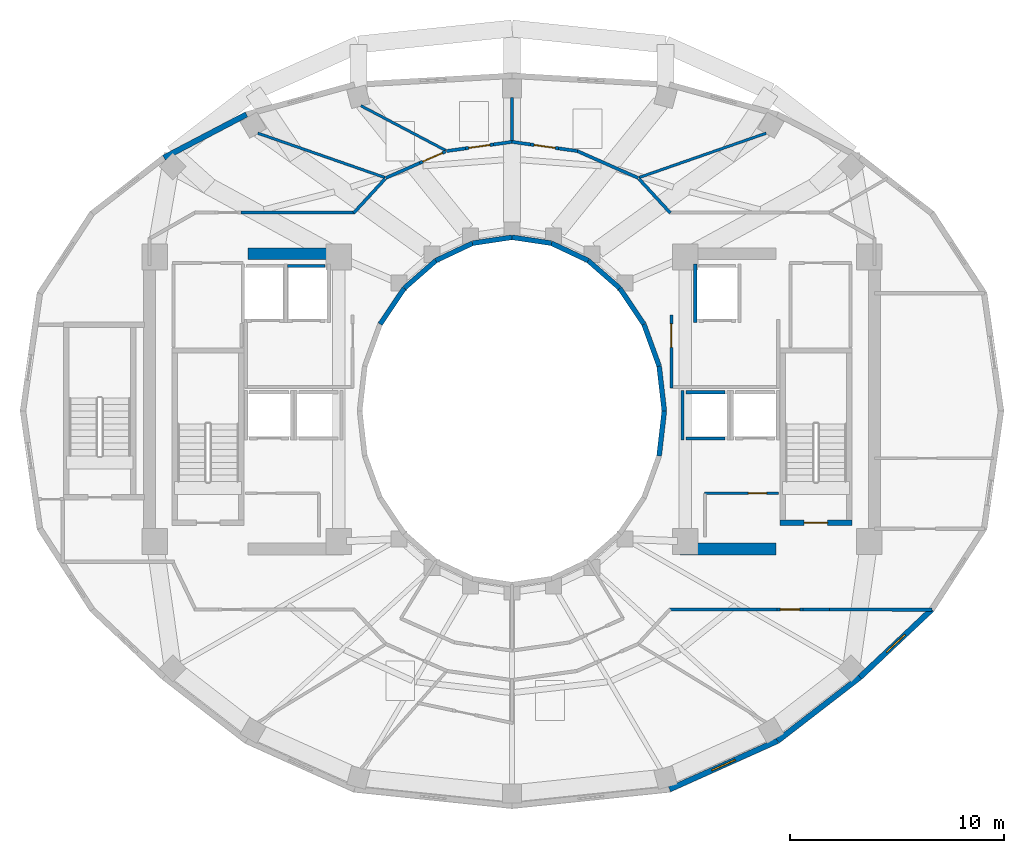
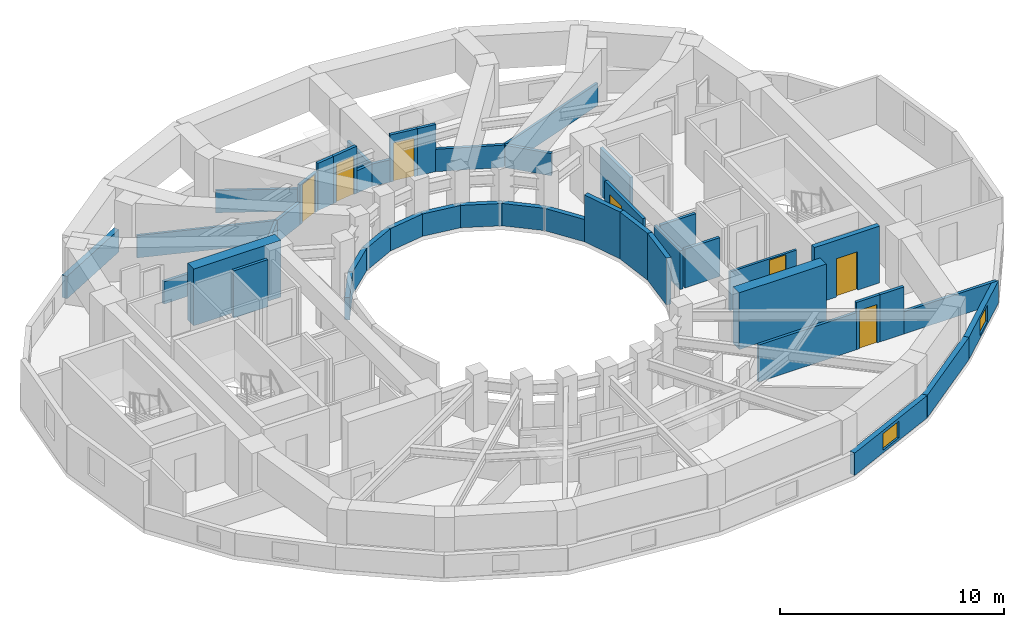
# One storey, part 5 of 9: 45 walls, 7 doors, 2 windows, 9 openings.
"""IFC4 building model written with IfcOpenShell, lengths in metres."""

from ifc_helpers import new_model, si_unit, direction, frame, frame_2d, origin, place, context, subcontext, project, spatial, rectangle, extrude, material, layer, layer_set, type_object, element, fill, save


model = new_model("IFC4")

# Units and contexts
model_context = context("Model", 3, precision=1e-05, world=origin(), true_north=direction((0.0, 1.0)))
body_context = subcontext(model_context, "Body", "Model", "MODEL_VIEW")
ifc_project = project(units=[si_unit("LENGTHUNIT", "METRE"), si_unit("AREAUNIT", "SQUARE_METRE"), si_unit("VOLUMEUNIT", "CUBIC_METRE"), si_unit("PLANEANGLEUNIT", "RADIAN"), si_unit("MASSUNIT", "GRAM", prefix="KILO")], contexts=[model_context])

# Site, building, storey
site_placement = place(None, origin())
site = spatial("IfcSite", under=ifc_project, at=site_placement, CompositionType="ELEMENT")
building_placement = place(site_placement, origin())
building = spatial("IfcBuilding", under=site, at=building_placement, Name="Solvane Sanctuary Tower", CompositionType="ELEMENT")
storey_placement = place(building_placement, frame((0.0, 0.0, 177.699951171875)))
storey = spatial("IfcBuildingStorey", under=building, at=storey_placement, Name="L54", CompositionType="ELEMENT", Elevation=177.699951171875)

# Walls
ifc_material_1 = material(Name="Concrete C50/60", Category="concrete")
ifc_layer_1 = layer(ifc_material_1, 0.550048828125, Name="Concrete C50/60")
ifc_layer_set_1 = layer_set([ifc_layer_1], Name="Concrete C50/60")
wall_type_1 = type_object("IfcWallType", Name="Wall W-CORE-550", PredefinedType="SHEAR", material=ifc_layer_set_1)
for number, where, z_axis, x_axis, name in (
    (1, (19.64990234375, 30.35009765625, 0.0), (0.0, 0.0, 1.0), (1.0, 0.0, 0.0), "L54 Core Shear Wall WC-N"),
    (2, (39.85009765625, 16.550048828125, 0.0), (0.0, 0.0, 1.0), (1.0, 0.0, 0.0), "L54 Core Shear Wall EC-S"),
):
    element("IfcWall", number, at=place(storey_placement, frame(where, z_axis=z_axis, x_axis=x_axis)), inside=storey, type_object=wall_type_1, Name=name, PredefinedType="SHEAR", context=body_context, shape_type="SweptSolid", body=[
        extrude(rectangle(XDim=4.5, YDim=0.550048828125, at=frame_2d((2.25, 0.0))), origin(), (0.0, 0.0, 1.0), 3.10009765625),
    ])

# Wall, opening, door
ifc_material_2 = material(Name="Acoustic Gypsum Partition Board")
ifc_layer_2 = layer(ifc_material_2, 0.14990234375, Name="Acoustic Gypsum Partition Board")
ifc_layer_set_2 = layer_set([ifc_layer_2], Name="Acoustic Gypsum Partition Board")
wall_type_2 = type_object("IfcWallType", Name="Wall W-CORR-150", PredefinedType="PARTITIONING", material=ifc_layer_set_2)
wall_1_placement = place(storey_placement, frame((39.449951171875, 24.080078125, 0.0), z_axis=(0.0, 0.0, 1.0), x_axis=(0.0, 1.0, 0.0)))
wall_1 = element("IfcWall", 3, at=wall_1_placement, inside=storey, type_object=wall_type_2, Name="L54 East Firefighting Lobby West Wall", PredefinedType="PARTITIONING", context=body_context, shape_type="SweptSolid", body=[
    extrude(rectangle(XDim=3.39990234375, YDim=0.14990234375, at=frame_2d((1.699951171875, 0.0))), origin(), (0.0, 0.0, 1.0), 2.574951171875),
])
opening_1_placement = place(wall_1_placement, frame((1.893798828125, 0.0, 0.0)))
opening_1 = element("IfcOpeningElement", 4, at=opening_1_placement, cuts=wall_1, Name="Opening D-L54-05", PredefinedType="OPENING", context=body_context, shape_type="SweptSolid", body=[
    extrude(rectangle(XDim=1.10009765625, YDim=2.10009765625, at=frame_2d((0.550048828125, 1.050048828125))), frame((0.0, 0.0849609375, 0.0), z_axis=(0.0, -1.0, 0.0), x_axis=(1.0, 0.0, 0.0)), (0.0, 0.0, 1.0), 0.169921875),
])
ifc_material_3 = material(Name="Architectural Stainless Steel 316", Category="steel")
door_type_1 = type_object("IfcDoorType", Name="Door D-FFL", OperationType="NOTDEFINED", PredefinedType="DOOR", material=ifc_material_3)
door_1_placement = place(opening_1_placement, origin())
door_1 = element("IfcDoor", 5, at=door_1_placement, inside=storey, type_object=door_type_1, Name="L54 East Firefighting Lobby Fire Door", OperationType="SINGLE_SWING_LEFT", OverallHeight=2.10009765625, OverallWidth=1.10009765625, PredefinedType="DOOR", context=body_context, shape_type="SweptSolid", body=[
    extrude(rectangle(XDim=1.10009765625, YDim=2.10009765625, at=frame_2d((0.550048828125, 1.050048828125))), frame((0.0, 0.02490234375, 0.0), z_axis=(0.0, -1.0, 0.0), x_axis=(1.0, 0.0, 0.0)), (0.0, 0.0, 1.0), 0.050048828125),
])
fill(opening_1, door_1)

# Walls
for number, where, z_axis, x_axis, name in (
    (6, (37.92822265625, 33.855712890625, 0.0), (0.0, 0.0, 1.0), (0.677579737957, -0.735449317567, 0.0), "L54 NE Corner Throat Wall"),
    (7, (26.07177734375, 33.855712890625, 0.0), (0.0, 0.0, 1.0), (-0.677579737957, -0.735449317567, 0.0), "L54 NW Corner Throat Wall"),
):
    element("IfcWall", number, at=place(storey_placement, frame(where, z_axis=z_axis, x_axis=x_axis)), inside=storey, type_object=wall_type_2, Name=name, PredefinedType="PARTITIONING", context=body_context, shape_type="SweptSolid", body=[
        extrude(rectangle(XDim=2.172607421875, YDim=0.14990234375, at=frame_2d((1.08642578125, 0.0))), origin(), (0.0, 0.0, 1.0), 1.219970703125),
    ])
wall_2_placement = place(storey_placement, frame((19.334228515625, 32.280029296875, 0.0), z_axis=(0.0, 0.0, 1.0), x_axis=(1.0, 0.0, 0.0)))
element("IfcWall", 8, at=wall_2_placement, inside=storey, type_object=wall_type_2, Name="L54 NW Corner Corridor Wall", PredefinedType="PARTITIONING", context=body_context, shape_type="SweptSolid", body=[
    extrude(rectangle(XDim=5.335693359375, YDim=0.14990234375, at=frame_2d((2.66796875, 0.0))), origin(), (0.0, 0.0, 1.0), 1.219970703125),
])
wall_3_placement = place(storey_placement, frame((39.330078125, 13.719970703125, 0.0), z_axis=(0.0, 0.0, 1.0), x_axis=(1.0, 0.0, 0.0)))
element("IfcWall", 9, at=wall_3_placement, inside=storey, type_object=wall_type_2, Name="L54 SE Corner Corridor Wall", PredefinedType="PARTITIONING", context=body_context, shape_type="SweptSolid", body=[
    extrude(rectangle(XDim=5.059814453125, YDim=0.14990234375, at=frame_2d((2.52978515625, 0.0))), origin(), (0.0, 0.0, 1.0), 2.01904296875),
])

# Wall, opening, door
wall_4_placement = place(storey_placement, frame((44.389892578125, 13.719970703125, 0.0), z_axis=(0.0, 0.0, 1.0), x_axis=(1.0, 0.0, 0.0)))
wall_4 = element("IfcWall", 10, at=wall_4_placement, inside=storey, type_object=wall_type_2, Name="L54 SE Corner Corridor Wall", PredefinedType="PARTITIONING", context=body_context, shape_type="SweptSolid", body=[
    extrude(rectangle(XDim=1.22021484375, YDim=0.14990234375, at=frame_2d((0.610107421875, 0.0))), origin(), (0.0, 0.0, 1.0), 2.574951171875),
])
opening_2_placement = place(wall_4_placement, frame((0.159912109375, 0.0, 0.0)))
opening_2 = element("IfcOpeningElement", 11, at=opening_2_placement, cuts=wall_4, Name="Opening D-L54-17", PredefinedType="OPENING", context=body_context, shape_type="SweptSolid", body=[
    extrude(rectangle(XDim=0.89990234375, YDim=2.10009765625, at=frame_2d((0.449951171875, 1.050048828125))), frame((0.0, 0.0849609375, 0.0), z_axis=(0.0, -1.0, 0.0), x_axis=(1.0, 0.0, 0.0)), (0.0, 0.0, 1.0), 0.169921875),
])
ifc_material_4 = material(Name="Engineered Tropical Hardwood", Category="wood")
door_type_2 = type_object("IfcDoorType", Name="Door D-WET-900", OperationType="NOTDEFINED", PredefinedType="DOOR", material=ifc_material_4)
door_2_placement = place(opening_2_placement, origin())
door_2 = element("IfcDoor", 12, at=door_2_placement, inside=storey, type_object=door_type_2, Name="L54 SE Corner Salon Door", OperationType="SINGLE_SWING_LEFT", OverallHeight=2.10009765625, OverallWidth=0.89990234375, PredefinedType="DOOR", context=body_context, shape_type="SweptSolid", body=[
    extrude(rectangle(XDim=0.89990234375, YDim=2.10009765625, at=frame_2d((0.449951171875, 1.050048828125))), frame((0.0, 0.02490234375, 0.0), z_axis=(0.0, -1.0, 0.0), x_axis=(1.0, 0.0, 0.0)), (0.0, 0.0, 1.0), 0.050048828125),
])
fill(opening_2, door_2)

# Walls
wall_5_placement = place(storey_placement, frame((45.610107421875, 13.719970703125, 0.0), z_axis=(0.0, 0.0, 1.0), x_axis=(1.0, 0.0, 0.0)))
element("IfcWall", 13, at=wall_5_placement, inside=storey, type_object=wall_type_2, Name="L54 SE Corner Corridor Wall", PredefinedType="PARTITIONING", context=body_context, shape_type="SweptSolid", body=[
    extrude(rectangle(XDim=1.239990234375, YDim=0.14990234375, at=frame_2d((0.6201171875, 0.0))), origin(), (0.0, 0.0, 1.0), 2.574951171875),
])
wall_6_placement = place(storey_placement, frame((46.75, 13.72021484375, 0.0), z_axis=(0.0, 0.0, 1.0), x_axis=(0.999997122315, -0.00239903348, 0.0)))
element("IfcWall", 14, at=wall_6_placement, inside=storey, type_object=wall_type_2, Name="L54 SE Corner Wing Wall", PredefinedType="PARTITIONING", context=body_context, shape_type="SweptSolid", body=[
    extrude(rectangle(XDim=4.884765625, YDim=0.14990234375, at=frame_2d((2.4423828125, 0.0))), origin(), (0.0, 0.0, 1.0), 1.219970703125),
])
wall_7_placement = place(storey_placement, frame((37.898193359375, 33.891845703125, 0.0), z_axis=(0.0, 0.0, 1.0), x_axis=(-0.914519212393, 0.40454247016, 0.0)))
element("IfcWall", 15, at=wall_7_placement, inside=storey, type_object=wall_type_2, Name="L54 Unit Corridor Wall N1", PredefinedType="PARTITIONING", context=body_context, shape_type="SweptSolid", body=[
    extrude(rectangle(XDim=3.123779296875, YDim=0.14990234375, at=frame_2d((1.56201171875, 0.0))), origin(), (0.0, 0.0, 1.0), 1.219970703125),
])
wall_8_placement = place(storey_placement, frame((35.057373046875, 35.15087890625, 0.0), z_axis=(0.0, 0.0, 1.0), x_axis=(-0.990238800444, 0.139381197064, 0.0)))
element("IfcWall", 16, at=wall_8_placement, inside=storey, type_object=wall_type_2, Name="L54 Unit Corridor Wall N1", PredefinedType="PARTITIONING", context=body_context, shape_type="SweptSolid", body=[
    extrude(rectangle(XDim=0.88818359375, YDim=0.14990234375, at=frame_2d((0.444091796875, 0.0))), origin(), (0.0, 0.0, 1.0), 2.574951171875),
])

# Wall, opening, door
wall_9_placement = place(storey_placement, frame((34.177978515625, 35.274658203125, 0.0), z_axis=(0.0, 0.0, 1.0), x_axis=(-0.990250599082, 0.139297347489, 0.0)))
wall_9 = element("IfcWall", 17, at=wall_9_placement, inside=storey, type_object=wall_type_2, Name="L54 Unit Corridor Wall N1", PredefinedType="PARTITIONING", context=body_context, shape_type="SweptSolid", body=[
    extrude(rectangle(XDim=1.31982421875, YDim=0.14990234375, at=frame_2d((0.659912109375, 0.0))), origin(), (0.0, 0.0, 1.0), 2.574951171875),
])
opening_3_placement = place(wall_9_placement, frame((0.159912109375, 0.0, 0.0)))
opening_3 = element("IfcOpeningElement", 18, at=opening_3_placement, cuts=wall_9, Name="Opening D-L54-20", PredefinedType="OPENING", context=body_context, shape_type="SweptSolid", body=[
    extrude(rectangle(XDim=1.0, YDim=2.10009765625, at=frame_2d((0.5, 1.050048828125))), frame((0.0, 0.0849609375, 0.0), z_axis=(0.0, -1.0, 0.0), x_axis=(1.0, 0.0, 0.0)), (0.0, 0.0, 1.0), 0.169921875),
])
door_type_3 = type_object("IfcDoorType", Name="Door D-UNIT", OperationType="NOTDEFINED", PredefinedType="DOOR", material=ifc_material_4)
door_3_placement = place(opening_3_placement, origin())
door_3 = element("IfcDoor", 19, at=door_3_placement, inside=storey, type_object=door_type_3, Name="L54 Unit Entrance Door N1", OperationType="SINGLE_SWING_RIGHT", OverallHeight=2.10009765625, OverallWidth=1.0, PredefinedType="DOOR", context=body_context, shape_type="SweptSolid", body=[
    extrude(rectangle(XDim=1.0, YDim=2.10009765625, at=frame_2d((0.5, 1.050048828125))), frame((0.0, 0.02490234375, 0.0), z_axis=(0.0, -1.0, 0.0), x_axis=(1.0, 0.0, 0.0)), (0.0, 0.0, 1.0), 0.050048828125),
])
fill(opening_3, door_3)

# Walls
for number, where, z_axis, x_axis, name in (
    (20, (32.87109375, 35.45849609375, 0.0), (0.0, 0.0, 1.0), (-0.990276708961, 0.139111608755, 0.0), "L54 Unit Corridor Wall N1"),
    (21, (32.00830078125, 35.58203125, 0.0), (0.0, 0.0, 1.0), (-0.990276708961, -0.139111608755, 0.0), "L54 Unit Corridor Wall N2"),
):
    element("IfcWall", number, at=place(storey_placement, frame(where, z_axis=z_axis, x_axis=x_axis)), inside=storey, type_object=wall_type_2, Name=name, PredefinedType="PARTITIONING", context=body_context, shape_type="SweptSolid", body=[
        extrude(rectangle(XDim=0.887939453125, YDim=0.14990234375, at=frame_2d((0.44384765625, 0.0))), origin(), (0.0, 0.0, 1.0), 1.219970703125),
    ])

# Wall, opening, door
wall_10_placement = place(storey_placement, frame((31.12890625, 35.45849609375, 0.0), z_axis=(0.0, 0.0, 1.0), x_axis=(-0.990254187593, -0.139271834751, 0.0)))
wall_10 = element("IfcWall", 22, at=wall_10_placement, inside=storey, type_object=wall_type_2, Name="L54 Unit Corridor Wall N2", PredefinedType="PARTITIONING", context=body_context, shape_type="SweptSolid", body=[
    extrude(rectangle(XDim=1.320068359375, YDim=0.14990234375, at=frame_2d((0.66015625, 0.0))), origin(), (0.0, 0.0, 1.0), 2.574951171875),
])
opening_4_placement = place(wall_10_placement, frame((0.159912109375, 0.0, 0.0)))
opening_4 = element("IfcOpeningElement", 23, at=opening_4_placement, cuts=wall_10, Name="Opening D-L54-21", PredefinedType="OPENING", context=body_context, shape_type="SweptSolid", body=[
    extrude(rectangle(XDim=1.0, YDim=2.10009765625, at=frame_2d((0.5, 1.050048828125))), frame((0.0, 0.0849609375, 0.0), z_axis=(0.0, -1.0, 0.0), x_axis=(1.0, 0.0, 0.0)), (0.0, 0.0, 1.0), 0.169921875),
])
door_4_placement = place(opening_4_placement, origin())
door_4 = element("IfcDoor", 24, at=door_4_placement, inside=storey, type_object=door_type_3, Name="L54 Unit Entrance Door N2", OperationType="SINGLE_SWING_LEFT", OverallHeight=2.10009765625, OverallWidth=1.0, PredefinedType="DOOR", context=body_context, shape_type="SweptSolid", body=[
    extrude(rectangle(XDim=1.0, YDim=2.10009765625, at=frame_2d((0.5, 1.050048828125))), frame((0.0, 0.02490234375, 0.0), z_axis=(0.0, -1.0, 0.0), x_axis=(1.0, 0.0, 0.0)), (0.0, 0.0, 1.0), 0.050048828125),
])
fill(opening_4, door_4)

# Wall
wall_11_placement = place(storey_placement, frame((29.82177734375, 35.274658203125, 0.0), z_axis=(0.0, 0.0, 1.0), x_axis=(-0.990233457483, -0.139419151054, 0.0)))
element("IfcWall", 25, at=wall_11_placement, inside=storey, type_object=wall_type_2, Name="L54 Unit Corridor Wall N2", PredefinedType="PARTITIONING", context=body_context, shape_type="SweptSolid", body=[
    extrude(rectangle(XDim=0.887939453125, YDim=0.14990234375, at=frame_2d((0.44384765625, 0.0))), origin(), (0.0, 0.0, 1.0), 2.574951171875),
])

# Wall, opening, door
wall_12_placement = place(storey_placement, frame((28.890625, 35.12548828125, 0.0), z_axis=(0.0, 0.0, 1.0), x_axis=(-0.914519545761, -0.404541716541, 0.0)))
wall_12 = element("IfcWall", 26, at=wall_12_placement, inside=storey, type_object=wall_type_2, Name="L54 Unit Corridor Wall N3", PredefinedType="PARTITIONING", context=body_context, shape_type="SweptSolid", body=[
    extrude(rectangle(XDim=1.31982421875, YDim=0.14990234375, at=frame_2d((0.659912109375, 0.0))), origin(), (0.0, 0.0, 1.0), 2.16015625),
])
opening_5_placement = place(wall_12_placement, frame((0.159912109375, 0.0, 0.0)))
opening_5 = element("IfcOpeningElement", 27, at=opening_5_placement, cuts=wall_12, Name="Opening D-L54-22", PredefinedType="OPENING", context=body_context, shape_type="SweptSolid", body=[
    extrude(rectangle(XDim=1.0, YDim=2.10009765625, at=frame_2d((0.5, 1.050048828125))), frame((0.0, 0.0849609375, 0.0), z_axis=(0.0, -1.0, 0.0), x_axis=(1.0, 0.0, 0.0)), (0.0, 0.0, 1.0), 0.169921875),
])
door_5_placement = place(opening_5_placement, origin())
door_5 = element("IfcDoor", 28, at=door_5_placement, inside=storey, type_object=door_type_3, Name="L54 Unit Entrance Door N3", OperationType="SINGLE_SWING_RIGHT", OverallHeight=2.10009765625, OverallWidth=1.0, PredefinedType="DOOR", context=body_context, shape_type="SweptSolid", body=[
    extrude(rectangle(XDim=1.0, YDim=2.10009765625, at=frame_2d((0.5, 1.050048828125))), frame((0.0, 0.02490234375, 0.0), z_axis=(0.0, -1.0, 0.0), x_axis=(1.0, 0.0, 0.0)), (0.0, 0.0, 1.0), 0.050048828125),
])
fill(opening_5, door_5)

# Walls
wall_13_placement = place(storey_placement, frame((27.68359375, 34.591552734375, 0.0), z_axis=(0.0, 0.0, 1.0), x_axis=(-0.914520274566, -0.404540068978, 0.0)))
element("IfcWall", 29, at=wall_13_placement, inside=storey, type_object=wall_type_2, Name="L54 Unit Corridor Wall N3", PredefinedType="PARTITIONING", context=body_context, shape_type="SweptSolid", body=[
    extrude(rectangle(XDim=1.729736328125, YDim=0.14990234375, at=frame_2d((0.86474609375, 0.0))), origin(), (0.0, 0.0, 1.0), 1.219970703125),
])
ifc_material_5 = material(Name="Precast concrete C40/50", Category="concrete")
ifc_layer_3 = layer(ifc_material_5, 0.260009765625, Name="Precast concrete C40/50")
ifc_layer_set_3 = layer_set([ifc_layer_3], Name="Precast concrete C40/50")
wall_type_3 = type_object("IfcWallType", Name="Wall W-EXT-250", PredefinedType="STANDARD", material=ifc_layer_set_3)
wall_14_placement = place(storey_placement, frame((19.5869140625, 36.86328125, 0.0), z_axis=(0.0, 0.0, 1.0), x_axis=(-0.885660265226, -0.464333818065, 0.0)))
element("IfcWall", 30, at=wall_14_placement, inside=storey, type_object=wall_type_3, Name="L54 Ceramic-Printed Facade Wall 08", PredefinedType="STANDARD", context=body_context, shape_type="SweptSolid", body=[
    extrude(rectangle(XDim=4.35400390625, YDim=0.260009765625, at=frame_2d((2.177001953125, 0.0))), origin(), (0.0, 0.0, 1.0), 1.219970703125),
])

# Wall, opening, window
wall_15_placement = place(storey_placement, frame((39.365234375, 5.3154296875, 0.0), z_axis=(0.0, 0.0, 1.0), x_axis=(0.912353637112, 0.409403029847, 0.0)))
wall_15 = element("IfcWall", 31, at=wall_15_placement, inside=storey, type_object=wall_type_3, Name="L54 Ceramic-Printed Facade Wall 19", PredefinedType="STANDARD", context=body_context, shape_type="SweptSolid", body=[
    extrude(rectangle(XDim=5.53271484375, YDim=0.260009765625, at=frame_2d((2.766357421875, 0.0))), origin(), (0.0, 0.0, 1.0), 1.219970703125),
])
opening_6_placement = place(wall_15_placement, frame((2.16650390625, 0.0, 0.14990234375)))
opening_6 = element("IfcOpeningElement", 32, at=opening_6_placement, cuts=wall_15, Name="Opening WN-OPER-1200", PredefinedType="OPENING", context=body_context, shape_type="SweptSolid", body=[
    extrude(rectangle(XDim=1.199951171875, YDim=0.89990234375, at=frame_2d((0.60009765625, 0.449951171875))), frame((0.0, 0.139892578125, 0.0), z_axis=(0.0, -1.0, 0.0), x_axis=(1.0, 0.0, 0.0)), (0.0, 0.0, 1.0), 0.280029296875),
])
ifc_material_6 = material(Name="Dark Ceramic-Fritted Low-E Glass", Category="glass")
window_type = type_object("IfcWindowType", Name="Window WN-OPER-1200", PartitioningType="SINGLE_PANEL", PredefinedType="WINDOW", material=ifc_material_6)
window_1_placement = place(opening_6_placement, origin())
window_1 = element("IfcWindow", 33, at=window_1_placement, inside=storey, type_object=window_type, Name="L54 Operable Facade Window 19", OverallHeight=0.89990234375, OverallWidth=1.199951171875, PartitioningType="SINGLE_PANEL", PredefinedType="WINDOW", context=body_context, shape_type="SweptSolid", body=[
    extrude(rectangle(XDim=1.199951171875, YDim=0.89990234375, at=frame_2d((0.60009765625, 0.449951171875))), frame((0.0, 0.030029296875, 0.0), z_axis=(0.0, -1.0, 0.0), x_axis=(1.0, 0.0, 0.0)), (0.0, 0.0, 1.0), 0.06005859375),
])
fill(opening_6, window_1)

# Wall
wall_16_placement = place(storey_placement, frame((44.4130859375, 7.58056640625, 0.0), z_axis=(0.0, 0.0, 1.0), x_axis=(0.791460185804, 0.611220724687, 0.0)))
element("IfcWall", 34, at=wall_16_placement, inside=storey, type_object=wall_type_3, Name="L54 Ceramic-Printed Facade Wall 20", PredefinedType="STANDARD", context=body_context, shape_type="SweptSolid", body=[
    extrude(rectangle(XDim=4.872314453125, YDim=0.260009765625, at=frame_2d((2.43603515625, 0.0))), origin(), (0.0, 0.0, 1.0), 1.219970703125),
])

# Wall, opening, window
wall_17_placement = place(storey_placement, frame((48.269287109375, 10.55859375, 0.0), z_axis=(0.0, 0.0, 1.0), x_axis=(0.727667301037, 0.68593024354, 0.0)))
wall_17 = element("IfcWall", 35, at=wall_17_placement, inside=storey, type_object=wall_type_3, Name="L54 Ceramic-Printed Facade Wall 21", PredefinedType="STANDARD", context=body_context, shape_type="SweptSolid", body=[
    extrude(rectangle(XDim=4.603515625, YDim=0.260009765625, at=frame_2d((2.3017578125, 0.0))), origin(), (0.0, 0.0, 1.0), 1.219970703125),
])
opening_7_placement = place(wall_17_placement, frame((1.70166015625, 0.0, 0.14990234375)))
opening_7 = element("IfcOpeningElement", 36, at=opening_7_placement, cuts=wall_17, Name="Opening WN-OPER-1200", PredefinedType="OPENING", context=body_context, shape_type="SweptSolid", body=[
    extrude(rectangle(XDim=1.199951171875, YDim=0.89990234375, at=frame_2d((0.60009765625, 0.449951171875))), frame((0.0, 0.139892578125, 0.0), z_axis=(0.0, -1.0, 0.0), x_axis=(1.0, 0.0, 0.0)), (0.0, 0.0, 1.0), 0.280029296875),
])
window_2_placement = place(opening_7_placement, origin())
window_2 = element("IfcWindow", 37, at=window_2_placement, inside=storey, type_object=window_type, Name="L54 Operable Facade Window 21", OverallHeight=0.89990234375, OverallWidth=1.199951171875, PartitioningType="SINGLE_PANEL", PredefinedType="WINDOW", context=body_context, shape_type="SweptSolid", body=[
    extrude(rectangle(XDim=1.199951171875, YDim=0.89990234375, at=frame_2d((0.60009765625, 0.449951171875))), frame((0.0, 0.030029296875, 0.0), z_axis=(0.0, -1.0, 0.0), x_axis=(1.0, 0.0, 0.0)), (0.0, 0.0, 1.0), 0.06005859375),
])
fill(opening_7, window_2)

# Walls
ifc_layer_4 = layer(ifc_material_5, 0.22998046875, Name="Precast concrete C40/50")
ifc_layer_set_4 = layer_set([ifc_layer_4], Name="Precast concrete C40/50")
wall_type_4 = type_object("IfcWallType", Name="Wall W-EXT-SP220", PredefinedType="STANDARD", material=ifc_layer_set_4)
wall_18_placement = place(storey_placement, frame((39.1201171875, 23.0, 0.0), z_axis=(0.0, 0.0, 1.0), x_axis=(-0.114711713601, 0.993398823617, 0.0)))
element("IfcWall", 38, at=wall_18_placement, inside=storey, type_object=wall_type_4, Name="L54 Central Light-Well Wall 00", PredefinedType="STANDARD", context=body_context, shape_type="SweptSolid", body=[
    extrude(rectangle(XDim=2.115478515625, YDim=0.22998046875, at=frame_2d((1.0576171875, 0.0))), origin(), (0.0, 0.0, 1.0), 2.56005859375),
])
wall_19_placement = place(storey_placement, frame((38.87744140625, 25.1015625, 0.0), z_axis=(0.0, 0.0, 1.0), x_axis=(-0.341423187295, 0.93990968033, 0.0)))
element("IfcWall", 39, at=wall_19_placement, inside=storey, type_object=wall_type_4, Name="L54 Central Light-Well Wall 01", PredefinedType="STANDARD", context=body_context, shape_type="SweptSolid", body=[
    extrude(rectangle(XDim=2.083740234375, YDim=0.22998046875, at=frame_2d((1.0419921875, 0.0))), origin(), (0.0, 0.0, 1.0), 2.56005859375),
])
wall_20_placement = place(storey_placement, frame((38.166015625, 27.06005859375, 0.0), z_axis=(0.0, 0.0, 1.0), x_axis=(-0.558197800898, 0.829707909492, 0.0)))
element("IfcWall", 40, at=wall_20_placement, inside=storey, type_object=wall_type_4, Name="L54 Central Light-Well Wall 02", PredefinedType="STANDARD", context=body_context, shape_type="SweptSolid", body=[
    extrude(rectangle(XDim=2.02685546875, YDim=0.22998046875, at=frame_2d((1.013427734375, 0.0))), origin(), (0.0, 0.0, 1.0), 1.219970703125),
])
wall_21_placement = place(storey_placement, frame((37.03466796875, 28.74169921875, 0.0), z_axis=(0.0, 0.0, 1.0), x_axis=(-0.752576694707, 0.658504607869, 0.0)))
element("IfcWall", 41, at=wall_21_placement, inside=storey, type_object=wall_type_4, Name="L54 Central Light-Well Wall 03", PredefinedType="STANDARD", context=body_context, shape_type="SweptSolid", body=[
    extrude(rectangle(XDim=1.95947265625, YDim=0.22998046875, at=frame_2d((0.979736328125, 0.0))), origin(), (0.0, 0.0, 1.0), 1.219970703125),
])
wall_22_placement = place(storey_placement, frame((35.56005859375, 30.031982421875, 0.0), z_axis=(0.0, 0.0, 1.0), x_axis=(-0.904179699603, 0.427152280606, 0.0)))
element("IfcWall", 42, at=wall_22_placement, inside=storey, type_object=wall_type_4, Name="L54 Central Light-Well Wall 04", PredefinedType="STANDARD", context=body_context, shape_type="SweptSolid", body=[
    extrude(rectangle(XDim=1.899169921875, YDim=0.22998046875, at=frame_2d((0.94970703125, 0.0))), origin(), (0.0, 0.0, 1.0), 1.219970703125),
])
for number, where, z_axis, x_axis, name in (
    (43, (33.8427734375, 30.84326171875, 0.0), (0.0, 0.0, 1.0), (-0.988901730308, 0.148571086668, 0.0), "L54 Central Light-Well Wall 05"),
    (44, (32.0, 31.1201171875, 0.0), (0.0, 0.0, 1.0), (-0.988901730308, -0.148571086668, 0.0), "L54 Central Light-Well Wall 06"),
):
    element("IfcWall", number, at=place(storey_placement, frame(where, z_axis=z_axis, x_axis=x_axis)), inside=storey, type_object=wall_type_4, Name=name, PredefinedType="STANDARD", context=body_context, shape_type="SweptSolid", body=[
        extrude(rectangle(XDim=1.863525390625, YDim=0.22998046875, at=frame_2d((0.931640625, 0.0))), origin(), (0.0, 0.0, 1.0), 1.219970703125),
    ])
wall_23_placement = place(storey_placement, frame((30.1572265625, 30.84326171875, 0.0), z_axis=(0.0, 0.0, 1.0), x_axis=(-0.904179699603, -0.427152280606, 0.0)))
element("IfcWall", 45, at=wall_23_placement, inside=storey, type_object=wall_type_4, Name="L54 Central Light-Well Wall 07", PredefinedType="STANDARD", context=body_context, shape_type="SweptSolid", body=[
    extrude(rectangle(XDim=1.899169921875, YDim=0.22998046875, at=frame_2d((0.94970703125, 0.0))), origin(), (0.0, 0.0, 1.0), 1.219970703125),
])
wall_24_placement = place(storey_placement, frame((28.43994140625, 30.031982421875, 0.0), z_axis=(0.0, 0.0, 1.0), x_axis=(-0.752576694707, -0.658504607869, 0.0)))
element("IfcWall", 46, at=wall_24_placement, inside=storey, type_object=wall_type_4, Name="L54 Central Light-Well Wall 08", PredefinedType="STANDARD", context=body_context, shape_type="SweptSolid", body=[
    extrude(rectangle(XDim=1.95947265625, YDim=0.22998046875, at=frame_2d((0.979736328125, 0.0))), origin(), (0.0, 0.0, 1.0), 1.219970703125),
])
wall_25_placement = place(storey_placement, frame((26.96533203125, 28.74169921875, 0.0), z_axis=(0.0, 0.0, 1.0), x_axis=(-0.558197800898, -0.829707909492, 0.0)))
element("IfcWall", 47, at=wall_25_placement, inside=storey, type_object=wall_type_4, Name="L54 Central Light-Well Wall 09", PredefinedType="STANDARD", context=body_context, shape_type="SweptSolid", body=[
    extrude(rectangle(XDim=2.02685546875, YDim=0.22998046875, at=frame_2d((1.013427734375, 0.0))), origin(), (0.0, 0.0, 1.0), 1.219970703125),
])
wall_26_placement = place(storey_placement, frame((38.87744140625, 20.8984375, 0.0), z_axis=(0.0, 0.0, 1.0), x_axis=(0.114711713601, 0.993398823617, 0.0)))
element("IfcWall", 48, at=wall_26_placement, inside=storey, type_object=wall_type_4, Name="L54 Central Light-Well Wall 23", PredefinedType="STANDARD", context=body_context, shape_type="SweptSolid", body=[
    extrude(rectangle(XDim=2.115478515625, YDim=0.22998046875, at=frame_2d((1.0576171875, 0.0))), origin(), (0.0, 0.0, 1.0), 2.56005859375),
])

# Wall, opening, door
ifc_layer_5 = layer(ifc_material_2, 0.125, Name="Acoustic Gypsum Partition Board")
ifc_layer_set_5 = layer_set([ifc_layer_5], Name="Acoustic Gypsum Partition Board")
wall_type_5 = type_object("IfcWallType", Name="Wall W-PART-125", PredefinedType="PARTITIONING", material=ifc_layer_set_5)
wall_27_placement = place(storey_placement, frame((41.0, 19.159912109375, 0.0), z_axis=(0.0, 0.0, 1.0), x_axis=(1.0, 0.0, 0.0)))
wall_27 = element("IfcWall", 49, at=wall_27_placement, inside=storey, type_object=wall_type_5, Name="L54 Reclaimed Room Partition PLE", PredefinedType="PARTITIONING", context=body_context, shape_type="SweptSolid", body=[
    extrude(rectangle(XDim=3.449951171875, YDim=0.125, at=frame_2d((1.72509765625, 0.0))), origin(), (0.0, 0.0, 1.0), 2.1201171875),
])
opening_8_placement = place(wall_27_placement, frame((2.050048828125, 0.0, 0.0)))
opening_8 = element("IfcOpeningElement", 50, at=opening_8_placement, cuts=wall_27, Name="Opening D-L54-07", PredefinedType="OPENING", context=body_context, shape_type="SweptSolid", body=[
    extrude(rectangle(XDim=0.85009765625, YDim=2.050048828125, at=frame_2d((0.425048828125, 1.02490234375))), frame((0.0, 0.072509765625, 0.0), z_axis=(0.0, -1.0, 0.0), x_axis=(1.0, 0.0, 0.0)), (0.0, 0.0, 1.0), 0.14501953125),
])
door_type_4 = type_object("IfcDoorType", Name="Door D-RISER", OperationType="NOTDEFINED", PredefinedType="DOOR", material=ifc_material_3)
door_6_placement = place(opening_8_placement, origin())
door_6 = element("IfcDoor", 51, at=door_6_placement, inside=storey, type_object=door_type_4, Name="L54 Reclaimed Room Door PLE-1", OperationType="SINGLE_SWING_LEFT", OverallHeight=2.050048828125, OverallWidth=0.85009765625, PredefinedType="DOOR", context=body_context, shape_type="SweptSolid", body=[
    extrude(rectangle(XDim=0.85009765625, YDim=2.050048828125, at=frame_2d((0.425048828125, 1.02490234375))), frame((0.0, 0.02490234375, 0.0), z_axis=(0.0, -1.0, 0.0), x_axis=(1.0, 0.0, 0.0)), (0.0, 0.0, 1.0), 0.050048828125),
])
fill(opening_8, door_6)

# Walls
wall_28_placement = place(storey_placement, frame((37.94287109375, 33.914306640625, 0.0), z_axis=(0.0, 0.0, 1.0), x_axis=(0.944182779284, 0.329422038278, 0.0)))
element("IfcWall", 52, at=wall_28_placement, inside=storey, type_object=wall_type_5, Name="L54 Radial Compartment Wall 060", PredefinedType="PARTITIONING", context=body_context, shape_type="SweptSolid", body=[
    extrude(rectangle(XDim=6.291259765625, YDim=0.125, at=frame_2d((3.1455078125, 0.0))), origin(), (0.0, 0.0, 1.0), 1.219970703125),
])
wall_29_placement = place(storey_placement, frame((32.0, 35.636962890625, 0.0), z_axis=(0.0, 0.0, 1.0), x_axis=(0.0, 1.0, 0.0)))
element("IfcWall", 53, at=wall_29_placement, inside=storey, type_object=wall_type_5, Name="L54 Radial Compartment Wall 090", PredefinedType="PARTITIONING", context=body_context, shape_type="SweptSolid", body=[
    extrude(rectangle(XDim=2.012939453125, YDim=0.125, at=frame_2d((1.00634765625, 0.0))), origin(), (0.0, 0.0, 1.0), 1.219970703125),
])
wall_30_placement = place(storey_placement, frame((28.90185546875, 35.178955078125, 0.0), z_axis=(0.0, 0.0, 1.0), x_axis=(-0.884576855896, 0.466394453241, 0.0)))
element("IfcWall", 54, at=wall_30_placement, inside=storey, type_object=wall_type_5, Name="L54 Radial Compartment Wall 105", PredefinedType="PARTITIONING", context=body_context, shape_type="SweptSolid", body=[
    extrude(rectangle(XDim=4.486572265625, YDim=0.125, at=frame_2d((2.2431640625, 0.0))), origin(), (0.0, 0.0, 1.0), 1.219970703125),
])
wall_31_placement = place(storey_placement, frame((26.05712890625, 33.914306640625, 0.0), z_axis=(0.0, 0.0, 1.0), x_axis=(-0.944182779284, 0.329422038278, 0.0)))
element("IfcWall", 55, at=wall_31_placement, inside=storey, type_object=wall_type_5, Name="L54 Radial Compartment Wall 120", PredefinedType="PARTITIONING", context=body_context, shape_type="SweptSolid", body=[
    extrude(rectangle(XDim=6.291259765625, YDim=0.125, at=frame_2d((3.1455078125, 0.0))), origin(), (0.0, 0.0, 1.0), 1.219970703125),
])
ifc_layer_6 = layer(ifc_material_1, 0.14990234375, Name="Concrete C50/60")
ifc_layer_set_6 = layer_set([ifc_layer_6], Name="Concrete C50/60")
wall_type_6 = type_object("IfcWallType", Name="Wall W-SHAFT-150", PredefinedType="SOLIDWALL", material=ifc_layer_set_6)
for number, where, z_axis, x_axis, name in (
    (56, (40.139892578125, 21.719970703125, 0.0), (0.0, 0.0, 1.0), (1.0, 0.0, 0.0), "L54 PH-2 Lift Shaft Wall F"),
    (57, (40.139892578125, 23.8798828125, 0.0), (0.0, 0.0, 1.0), (1.0, 0.0, 0.0), "L54 PH-2 Lift Shaft Wall B"),
):
    element("IfcWall", number, at=place(storey_placement, frame(where, z_axis=z_axis, x_axis=x_axis)), inside=storey, type_object=wall_type_6, Name=name, PredefinedType="SOLIDWALL", context=body_context, shape_type="SweptSolid", body=[
        extrude(rectangle(XDim=1.820068359375, YDim=0.14990234375, at=frame_2d((0.91015625, 0.0))), origin(), (0.0, 0.0, 1.0), 2.1201171875),
    ])
wall_32_placement = place(storey_placement, frame((39.969970703125, 21.639892578125, 0.0), z_axis=(0.0, 0.0, 1.0), x_axis=(0.0, 1.0, 0.0)))
element("IfcWall", 58, at=wall_32_placement, inside=storey, type_object=wall_type_6, Name="L54 PH-2 Lift Shaft Wall S1", PredefinedType="SOLIDWALL", context=body_context, shape_type="SweptSolid", body=[
    extrude(rectangle(XDim=2.320068359375, YDim=0.14990234375, at=frame_2d((1.16015625, 0.0))), origin(), (0.0, 0.0, 1.0), 2.1201171875),
])
wall_33_placement = place(storey_placement, frame((21.5, 29.780029296875, 0.0), z_axis=(0.0, 0.0, 1.0), x_axis=(1.0, 0.0, 0.0)))
element("IfcWall", 59, at=wall_33_placement, inside=storey, type_object=wall_type_6, Name="L54 SVL-1 Lift Shaft Wall B", PredefinedType="SOLIDWALL", context=body_context, shape_type="SweptSolid", body=[
    extrude(rectangle(XDim=1.760009765625, YDim=0.14990234375, at=frame_2d((0.8798828125, 0.0))), origin(), (0.0, 0.0, 1.0), 2.574951171875),
])
wall_34_placement = place(storey_placement, frame((40.570068359375, 27.139892578125, 0.0), z_axis=(0.0, 0.0, 1.0), x_axis=(0.0, 1.0, 0.0)))
element("IfcWall", 60, at=wall_34_placement, inside=storey, type_object=wall_type_6, Name="L54 FFL-2 Lift Shaft Wall S1", PredefinedType="SOLIDWALL", context=body_context, shape_type="SweptSolid", body=[
    extrude(rectangle(XDim=2.72021484375, YDim=0.14990234375, at=frame_2d((1.360107421875, 0.0))), origin(), (0.0, 0.0, 1.0), 2.574951171875),
])

# Wall, opening, door
ifc_layer_7 = layer(ifc_material_1, 0.25, Name="Concrete C50/60")
ifc_layer_set_7 = layer_set([ifc_layer_7], Name="Concrete C50/60")
wall_type_7 = type_object("IfcWallType", Name="Wall W-SHAFT-250", PredefinedType="SOLIDWALL", material=ifc_layer_set_7)
wall_35_placement = place(storey_placement, frame((44.52490234375, 17.77001953125, 0.0), z_axis=(0.0, 0.0, 1.0), x_axis=(1.0, 0.0, 0.0)))
wall_35 = element("IfcWall", 61, at=wall_35_placement, inside=storey, type_object=wall_type_7, Name="L54 ST-2 Load-Bearing Shaft Wall S", PredefinedType="SOLIDWALL", context=body_context, shape_type="SweptSolid", body=[
    extrude(rectangle(XDim=3.3701171875, YDim=0.25, at=frame_2d((1.68505859375, 0.0))), origin(), (0.0, 0.0, 1.0), 3.10009765625),
])
opening_9_placement = place(wall_35_placement, frame((1.135009765625, 0.0, 0.0)))
opening_9 = element("IfcOpeningElement", 62, at=opening_9_placement, cuts=wall_35, Name="Opening D-L54-02", PredefinedType="OPENING", context=body_context, shape_type="SweptSolid", body=[
    extrude(rectangle(XDim=1.10009765625, YDim=2.10009765625, at=frame_2d((0.550048828125, 1.050048828125))), frame((0.0, 0.135009765625, 0.0), z_axis=(0.0, -1.0, 0.0), x_axis=(1.0, 0.0, 0.0)), (0.0, 0.0, 1.0), 0.27001953125),
])
door_type_5 = type_object("IfcDoorType", Name="Door D-STAIR", OperationType="NOTDEFINED", PredefinedType="DOOR", material=ifc_material_3)
door_7_placement = place(opening_9_placement, origin())
door_7 = element("IfcDoor", 63, at=door_7_placement, inside=storey, type_object=door_type_5, Name="L54 ST-2 Exit Stair Fire Door", OperationType="SINGLE_SWING_LEFT", OverallHeight=2.10009765625, OverallWidth=1.10009765625, PredefinedType="DOOR", context=body_context, shape_type="SweptSolid", body=[
    extrude(rectangle(XDim=1.10009765625, YDim=2.10009765625, at=frame_2d((0.550048828125, 1.050048828125))), frame((0.0, 0.02490234375, 0.0), z_axis=(0.0, -1.0, 0.0), x_axis=(1.0, 0.0, 0.0)), (0.0, 0.0, 1.0), 0.050048828125),
])
fill(opening_9, door_7)

save(model, "model.ifc")
